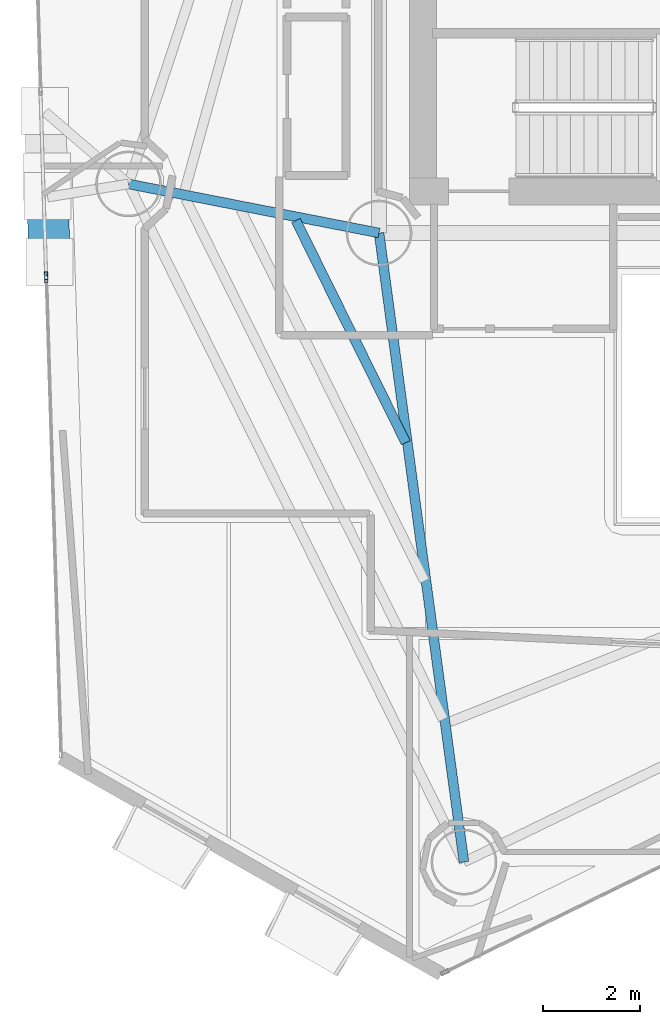
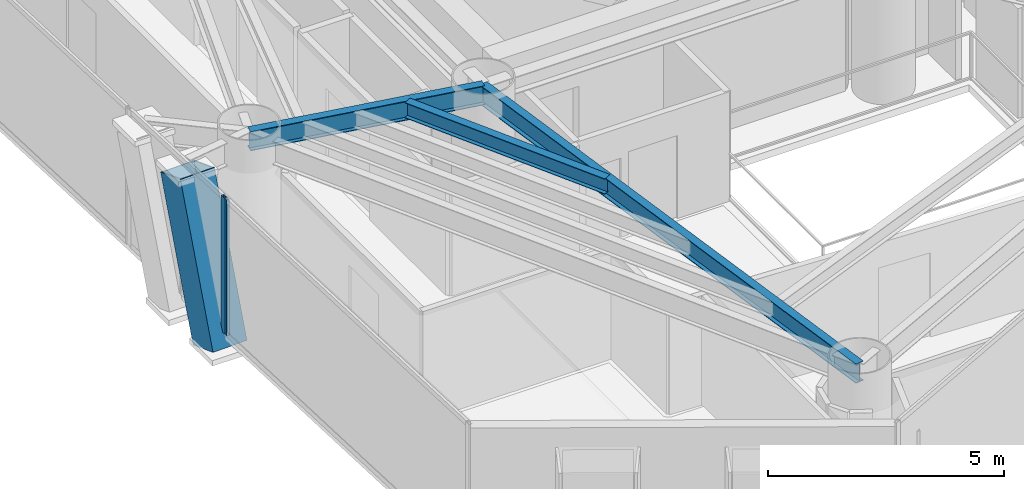
# One storey, part 4 of 22: 3 beams, 3 members, 2 elements without a shape of their own.
"""IFC4 building model written with IfcOpenShell, lengths in metres."""

from ifc_helpers import new_model, si_unit, direction, frame, origin, origin_2d, place, context, subcontext, project, spatial, hollow_rectangle, i_section, extrude, material, layer, layer_set, material_profile, profile_set, type_object, element, aggregate, save


model = new_model("IFC4")

# Units and contexts
model_context = context("Model", 3, precision=1e-05, world=origin(), true_north=direction((0.0, 1.0)))
body_context = subcontext(model_context, "Body", "Model", "MODEL_VIEW")
ifc_project = project(units=[si_unit("LENGTHUNIT", "METRE"), si_unit("AREAUNIT", "SQUARE_METRE"), si_unit("VOLUMEUNIT", "CUBIC_METRE"), si_unit("PLANEANGLEUNIT", "RADIAN"), si_unit("MASSUNIT", "GRAM", prefix="KILO")], contexts=[model_context])

# Site, building, storey
site_placement = place(None, origin())
site = spatial("IfcSite", under=ifc_project, at=site_placement, CompositionType="ELEMENT")
building_placement = place(site_placement, origin())
building = spatial("IfcBuilding", under=site, at=building_placement, Name="Qianvela Tower", CompositionType="ELEMENT")
storey_placement = place(building_placement, frame((0.0, 0.0, 158.699951171875)))
storey = spatial("IfcBuildingStorey", under=building, at=storey_placement, Name="L40", CompositionType="ELEMENT", Elevation=158.699951171875)

# Beams
ifc_material_1 = material(Name="Steel Q355B", Category="steel")
ifc_material_profile_1 = material_profile(ifc_material_1, i_section(OverallWidth=0.199951171875, OverallDepth=0.39990234375, WebThickness=0.008056640625, FlangeThickness=0.012939453125, at=origin_2d()), Name="HN400x200x8x13")
ifc_profile_set_1 = profile_set([ifc_material_profile_1], Name="Steel Q355B")
beam_type_1 = type_object("IfcBeamType", Name="BM-HN400-JOIST", PredefinedType="JOIST", material=ifc_profile_set_1)
beam_1_placement = place(storey_placement, frame((26.89013671875, 24.10693359375, 3.318115234375), z_axis=(0.443417880161, -0.896315002415, 0.0), x_axis=(0.896315002415, 0.443417880161, 0.0)))
element("IfcBeam", 1, at=beam_1_placement, inside=storey, type_object=beam_type_1, Name="L40 Secondary Composite Floor Joist 4.1", PredefinedType="JOIST", context=body_context, shape_type="SweptSolid", body=[
    extrude(i_section(OverallWidth=0.199951171875, OverallDepth=0.39990234375, WebThickness=0.008056640625, FlangeThickness=0.012939453125, at=origin_2d()), origin(), (0.0, 0.0, 1.0), 5.099609375),
])
ifc_material_2 = material(Name="Steel Q355B", Category="steel")
ifc_material_profile_2 = material_profile(ifc_material_2, i_section(OverallWidth=0.199951171875, OverallDepth=0.5, WebThickness=0.010009765625, FlangeThickness=0.01611328125, at=origin_2d()), Name="HN500x200x10x16")
ifc_profile_set_2 = profile_set([ifc_material_profile_2], Name="Steel Q355B")
beam_type_2 = type_object("IfcBeamType", Name="BM-HN500-GIRD", PredefinedType="BEAM", material=ifc_profile_set_2)
beam_2_placement = place(storey_placement, frame((28.60009765625, 23.85009765625, 3.26806640625), z_axis=(-0.98137875074, 0.192082658238, 0.0), x_axis=(-0.192082658238, -0.98137875074, 0.0)))
element("IfcBeam", 2, at=beam_2_placement, inside=storey, type_object=beam_type_2, Name="L40 Radial Primary Floor Girder 4", PredefinedType="BEAM", context=body_context, shape_type="SweptSolid", body=[
    extrude(i_section(OverallWidth=0.199951171875, OverallDepth=0.5, WebThickness=0.010009765625, FlangeThickness=0.01611328125, at=origin_2d()), origin(), (0.0, 0.0, 1.0), 5.251953125),
])
beam_3_placement = place(storey_placement, frame((28.60009765625, 23.85009765625, 3.26806640625), z_axis=(0.133769024854, -0.991012536747, 0.0), x_axis=(0.991012536747, 0.133769024854, 0.0)))
element("IfcBeam", 3, at=beam_3_placement, inside=storey, type_object=beam_type_2, Name="L40 Radial Primary Floor Girder 5", PredefinedType="BEAM", context=body_context, shape_type="SweptSolid", body=[
    extrude(i_section(OverallWidth=0.199951171875, OverallDepth=0.5, WebThickness=0.010009765625, FlangeThickness=0.01611328125, at=origin_2d()), origin(), (0.0, 0.0, 1.0), 13.05859375),
])

# Curtain wall, member
ifc_material_3 = material(Name="Anodised Architectural Aluminium and Insulated Spandrel Panel", Category="aluminium")
ifc_layer_1 = layer(ifc_material_3, 0.179931640625)
ifc_layer_set_1 = layer_set([ifc_layer_1], Name="Anodised Architectural Aluminium and Insulated Spandrel Panel")
curtain_wall_type_1 = type_object("IfcCurtainWallType", Name="CW-BRACEBAY", PredefinedType="USERDEFINED", material=ifc_layer_set_1)
curtain_wall_1_placement = place(storey_placement, origin())
curtain_wall_1 = element("IfcCurtainWall", 4, at=curtain_wall_1_placement, inside=storey, type_object=curtain_wall_type_1, Name="L40 CW-BRACEBAY Curtain Wall 04B", ObjectType="CURTAIN_WALL_SYSTEM", PredefinedType="USERDEFINED")
ifc_material_4 = material(Name="Anodised Architectural Aluminium 6063-T6", Category="aluminium")
ifc_material_profile_3 = material_profile(ifc_material_4, hollow_rectangle(XDim=0.06494140625, YDim=0.159912109375, WallThickness=0.0048828125, at=origin_2d()), Name="ALU-MULL-65x160")
ifc_profile_set_3 = profile_set([ifc_material_profile_3], Name="Anodised Architectural Aluminium 6063-T6")
member_type_1 = type_object("IfcMemberType", Name="CW-BRACEBAY-MULL", PredefinedType="MULLION", material=ifc_profile_set_3)
member_1_placement = place(storey_placement, frame((21.751708984375, 22.970947265625, 0.0), z_axis=(0.0, 0.0, 1.0), x_axis=(0.999528664556, 0.030699327861, 0.0)))
member_1 = element("IfcMember", 5, at=member_1_placement, type_object=member_type_1, Name="CW-9 mullion 2", PredefinedType="MULLION", context=body_context, shape_type="SweptSolid", body=[
    extrude(hollow_rectangle(XDim=0.06494140625, YDim=0.159912109375, WallThickness=0.0048828125, at=origin_2d()), origin(), (0.0, 0.0, 1.0), 3.52001953125),
])
aggregate(curtain_wall_1, [member_1])

ifc_material_5 = material(Name="Anodised Architectural Aluminium and Low-E Glass", Category="aluminium")
ifc_layer_2 = layer(ifc_material_5, 0.169921875)
ifc_layer_set_2 = layer_set([ifc_layer_2], Name="Anodised Architectural Aluminium and Low-E Glass")
curtain_wall_type_2 = type_object("IfcCurtainWallType", Name="CW-COLIV-Z34", PredefinedType="USERDEFINED", material=ifc_layer_set_2)
curtain_wall_2_placement = place(storey_placement, origin())
curtain_wall_2 = element("IfcCurtainWall", 6, at=curtain_wall_2_placement, inside=storey, type_object=curtain_wall_type_2, Name="L40 CW-COLIV-Z34 Curtain Wall 04C", ObjectType="CURTAIN_WALL_SYSTEM", PredefinedType="USERDEFINED")
ifc_material_6 = material(Name="Anodised Architectural Aluminium 6063-T6", Category="aluminium")
ifc_material_profile_4 = material_profile(ifc_material_6, hollow_rectangle(XDim=0.06494140625, YDim=0.159912109375, WallThickness=0.0048828125, at=origin_2d()), Name="ALU-MULL-65x160")
ifc_profile_set_4 = profile_set([ifc_material_profile_4], Name="Anodised Architectural Aluminium 6063-T6")
member_type_2 = type_object("IfcMemberType", Name="CW-COLIV-Z34-MULL", PredefinedType="MULLION", material=ifc_profile_set_4)
member_2_placement = place(storey_placement, frame((21.75390625, 22.906005859375, 0.0), z_axis=(0.0, 0.0, 1.0), x_axis=(0.999528000958, 0.030720926119, 0.0)))
member_2 = element("IfcMember", 7, at=member_2_placement, type_object=member_type_2, Name="CW-4 mullion 1", PredefinedType="MULLION", context=body_context, shape_type="SweptSolid", body=[
    extrude(hollow_rectangle(XDim=0.06494140625, YDim=0.159912109375, WallThickness=0.0048828125, at=origin_2d()), origin(), (0.0, 0.0, 1.0), 3.52001953125),
])
aggregate(curtain_wall_2, [member_2])

# Member
ifc_material_7 = material(Name="Steel Q420GJC", Category="steel")
ifc_material_profile_5 = material_profile(ifc_material_7, hollow_rectangle(XDim=0.85009765625, YDim=0.85009765625, WallThickness=0.031982421875, at=origin_2d()), Name="MBOX-850x850x32")
ifc_profile_set_5 = profile_set([ifc_material_profile_5], Name="Steel Q420GJC")
member_type_3 = type_object("IfcMemberType", Name="MBR-MBRACE-850", PredefinedType="BRACE", material=ifc_profile_set_5)
member_3_placement = place(storey_placement, frame((21.822509765625, 23.27587890625, -0.48193359375), z_axis=(-0.010260901842, 0.334194463632, 0.942448287372), x_axis=(-0.999528984016, -0.030688924891, 0.0)))
element("IfcMember", 8, at=member_3_placement, inside=storey, type_object=member_type_3, Name="L40 Tier 6 Exterior Mega-Brace F2B", PredefinedType="BRACE", context=body_context, shape_type="SweptSolid", body=[
    extrude(hollow_rectangle(XDim=0.85009765625, YDim=0.85009765625, WallThickness=0.031982421875, at=origin_2d()), origin(), (0.0, 0.0, 1.0), 3.92578125),
])

save(model, "model.ifc")
